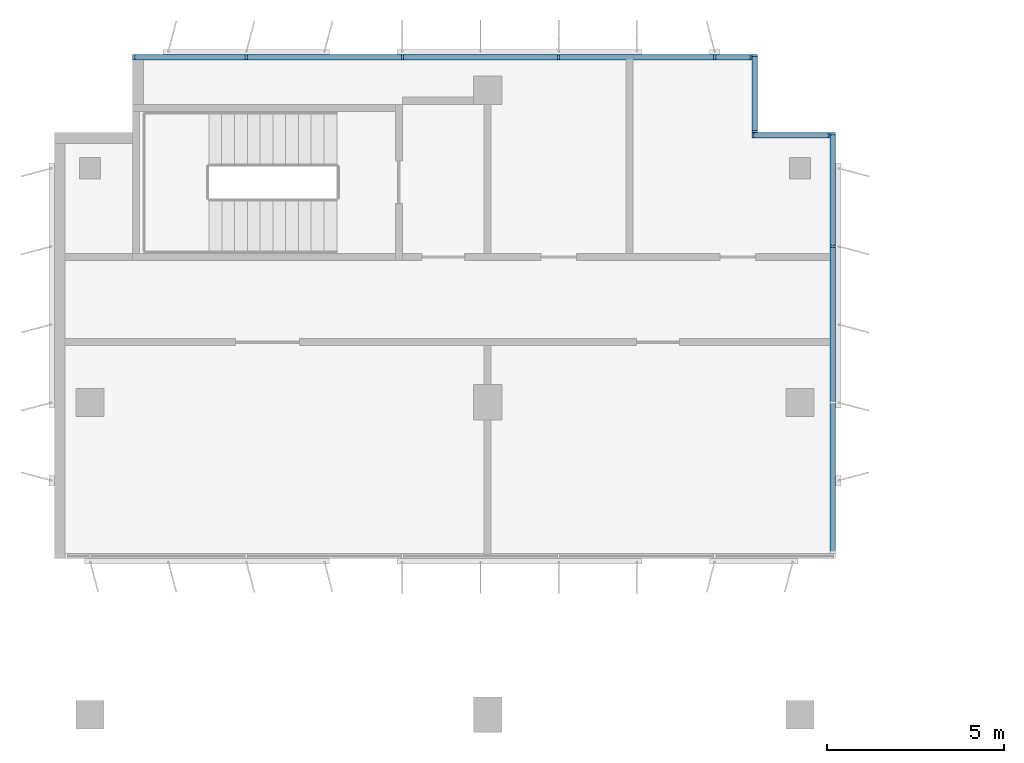
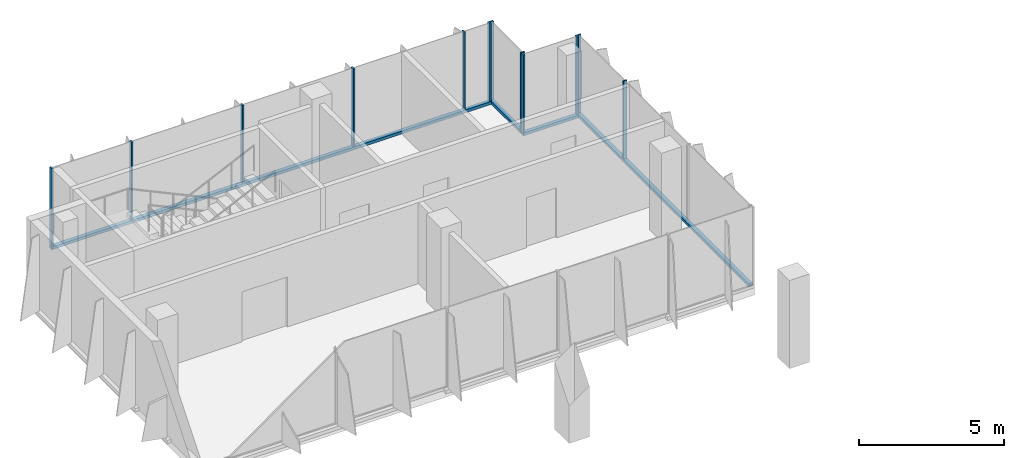
# One storey, part 5 of 14: 16 members, 4 elements without a shape of their own.
"""IFC4 building model written with IfcOpenShell, lengths in metres."""

from ifc_helpers import new_model, si_unit, direction, frame, origin, origin_2d, place, context, subcontext, project, spatial, rectangle, extrude, source, transform, mapped, material, material_profile, profile_set, type_object, element, aggregate, save


model = new_model("IFC4")

# Units and contexts
model_context = context("Model", 3, precision=1e-05, world=origin(), true_north=direction((0.0, 1.0)))
body_context = subcontext(model_context, "Body", "Model", "MODEL_VIEW")
ifc_project = project(units=[si_unit("LENGTHUNIT", "METRE"), si_unit("AREAUNIT", "SQUARE_METRE"), si_unit("VOLUMEUNIT", "CUBIC_METRE"), si_unit("PLANEANGLEUNIT", "RADIAN"), si_unit("MASSUNIT", "GRAM", prefix="KILO")], contexts=[model_context])

# Site, building, storey
site_placement = place(None, origin())
site = spatial("IfcSite", under=ifc_project, at=site_placement, CompositionType="ELEMENT")
building_placement = place(site_placement, origin())
building = spatial("IfcBuilding", under=site, at=building_placement, Name="Kemantara Hotel Tower", CompositionType="ELEMENT")
storey_placement = place(building_placement, frame((0.0, 0.0, 245.0)))
storey = spatial("IfcBuildingStorey", under=building, at=storey_placement, Name="L61", CompositionType="ELEMENT", Elevation=245.0)

# Curtain wall, member
ifc_material_1 = material(Name="Low-E tinted double insulated glass 36 mm", Category="glass")
curtain_wall_type = type_object("IfcCurtainWallType", Name="TOWER CURTAIN WALL, FRONT FACES", PredefinedType="USERDEFINED", material=ifc_material_1)
curtain_wall_1_placement = place(storey_placement, origin())
curtain_wall_1 = element("IfcCurtainWall", 1, at=curtain_wall_1_placement, inside=storey, type_object=curtain_wall_type, Name="CW4 L61 T4P-R13-1", ObjectType="TOWER CURTAIN WALL, FRONT FACES", PredefinedType="USERDEFINED")
ifc_material_2 = material(Name="Aluminium 6063-T6 bronze anodised", Category="aluminium")
ifc_material_profile_1 = material_profile(ifc_material_2, rectangle(XDim=0.14990234375, YDim=0.1201171875, at=origin_2d()), Name="TOWER CURTAIN WALL, FRONT FACES TRANSOM")
ifc_profile_set_1 = profile_set([ifc_material_profile_1], Name="Aluminium 6063-T6 bronze anodised")
member_type_1 = type_object("IfcMemberType", Name="TOWER CURTAIN WALL, FRONT FACES TRANSOM", PredefinedType="USERDEFINED", material=ifc_profile_set_1)
member_1_placement = place(storey_placement, frame((21.925048828125, 49.550048828125, 0.06005859375), z_axis=(0.0, 1.0, 0.0), x_axis=(-1.0, 0.0, 0.0)))
member_1 = element("IfcMember", 2, at=member_1_placement, type_object=member_type_1, Name="CW4 sill transom T4P-R13-1", ObjectType="TRANSOM", PredefinedType="USERDEFINED", context=body_context, shape_type="SweptSolid", body=[
    extrude(rectangle(XDim=0.14990234375, YDim=0.1201171875, at=origin_2d()), origin(), (0.0, 0.0, 1.0), 11.849853515625),
])

curtain_wall_2_placement = place(storey_placement, origin())
curtain_wall_2 = element("IfcCurtainWall", 3, at=curtain_wall_2_placement, inside=storey, type_object=curtain_wall_type, Name="CW4 L61 T4P-R16-1", ObjectType="TOWER CURTAIN WALL, FRONT FACES", PredefinedType="USERDEFINED")
member_2_placement = place(storey_placement, frame((19.64990234375, 63.52490234375, 0.06005859375), z_axis=(-1.0, 0.0, 0.0), x_axis=(0.0, -1.0, 0.0)))
member_2 = element("IfcMember", 4, at=member_2_placement, type_object=member_type_1, Name="CW4 sill transom T4P-R16-1", ObjectType="TRANSOM", PredefinedType="USERDEFINED", context=body_context, shape_type="SweptSolid", body=[
    extrude(rectangle(XDim=0.14990234375, YDim=0.1201171875, at=origin_2d()), origin(), (0.0, 0.0, 1.0), 17.449951171875),
])

curtain_wall_3_placement = place(storey_placement, origin())
curtain_wall_3 = element("IfcCurtainWall", 5, at=curtain_wall_3_placement, inside=storey, type_object=curtain_wall_type, Name="CW4 L61 T4P-R14-1", ObjectType="TOWER CURTAIN WALL, FRONT FACES", PredefinedType="USERDEFINED")
member_3_placement = place(storey_placement, frame((21.85009765625, 61.324951171875, 0.06005859375), z_axis=(-1.0, 0.0, 0.0), x_axis=(0.0, -1.0, 0.0)))
member_3 = element("IfcMember", 6, at=member_3_placement, type_object=member_type_1, Name="CW4 sill transom T4P-R14-1", ObjectType="TRANSOM", PredefinedType="USERDEFINED", context=body_context, shape_type="SweptSolid", body=[
    extrude(rectangle(XDim=0.14990234375, YDim=0.1201171875, at=origin_2d()), origin(), (0.0, 0.0, 1.0), 2.2001953125),
])

curtain_wall_4_placement = place(storey_placement, origin())
curtain_wall_4 = element("IfcCurtainWall", 7, at=curtain_wall_4_placement, inside=storey, type_object=curtain_wall_type, Name="CW4 L61 T4P-R15-1", ObjectType="TOWER CURTAIN WALL, FRONT FACES", PredefinedType="USERDEFINED")
member_4_placement = place(storey_placement, frame((19.72509765625, 61.39990234375, 0.06005859375), z_axis=(0.0, 1.0, 0.0), x_axis=(-1.0, 0.0, 0.0)))
member_4 = element("IfcMember", 8, at=member_4_placement, type_object=member_type_1, Name="CW4 sill transom T4P-R15-1", ObjectType="TRANSOM", PredefinedType="USERDEFINED", context=body_context, shape_type="SweptSolid", body=[
    extrude(rectangle(XDim=0.14990234375, YDim=0.1201171875, at=origin_2d()), origin(), (0.0, 0.0, 1.0), 2.2001953125),
])

# Member
ifc_material_profile_2 = material_profile(ifc_material_2, rectangle(XDim=0.14990234375, YDim=0.06005859375, at=origin_2d()), Name="TOWER CURTAIN WALL, FRONT FACES MULLION")
ifc_profile_set_2 = profile_set([ifc_material_profile_2], Name="Aluminium 6063-T6 bronze anodised")
member_type_2 = type_object("IfcMemberType", Name="TOWER CURTAIN WALL, FRONT FACES MULLION", PredefinedType="MULLION", material=ifc_profile_set_2)
shared_shape = source(origin(), body_context, "Body", "SweptSolid", [
    extrude(rectangle(XDim=0.14990234375, YDim=0.06005859375, at=origin_2d()), origin(), (0.0, 0.0, 1.0), 3.27978515625),
])
member_5_placement = place(storey_placement, frame((21.925048828125, 58.199951171875, 0.1201171875), z_axis=(0.0, 0.0, 1.0), x_axis=(-1.0, 0.0, 0.0)))
member_5 = element("IfcMember", 9, at=member_5_placement, type_object=member_type_2, Name="CW4 mullion T4P-R13-1.3", PredefinedType="MULLION", context=body_context, shape_type="MappedRepresentation", body=[
    mapped(shared_shape, transform((0.0, 0.0, 0.0))),
])

member_6_placement = place(storey_placement, frame((21.925048828125, 61.3701171875, 0.1201171875), z_axis=(0.0, 0.0, 1.0), x_axis=(-1.0, 0.0, 0.0)))
member_6 = element("IfcMember", 10, at=member_6_placement, type_object=member_type_2, Name="CW4 mullion T4P-R13-1.4", PredefinedType="MULLION", context=body_context, shape_type="MappedRepresentation", body=[
    mapped(shared_shape, transform((0.0, 0.0, 0.0))),
])

aggregate(curtain_wall_1, [member_1, member_5, member_6])

member_7_placement = place(storey_placement, frame((19.6201171875, 63.52490234375, 0.1201171875), z_axis=(0.0, 0.0, 1.0), x_axis=(0.0, -1.0, 0.0)))
member_7 = element("IfcMember", 11, at=member_7_placement, type_object=member_type_2, Name="CW4 mullion T4P-R16-1.1", PredefinedType="MULLION", context=body_context, shape_type="MappedRepresentation", body=[
    mapped(shared_shape, transform((0.0, 0.0, 0.0))),
])

member_8_placement = place(storey_placement, frame((18.60009765625, 63.52490234375, 0.1201171875), z_axis=(0.0, 0.0, 1.0), x_axis=(0.0, -1.0, 0.0)))
member_8 = element("IfcMember", 12, at=member_8_placement, type_object=member_type_2, Name="CW4 mullion T4P-R16-1.2", PredefinedType="MULLION", context=body_context, shape_type="MappedRepresentation", body=[
    mapped(shared_shape, transform((0.0, 0.0, 0.0))),
])

member_9_placement = place(storey_placement, frame((14.199951171875, 63.52490234375, 0.1201171875), z_axis=(0.0, 0.0, 1.0), x_axis=(0.0, -1.0, 0.0)))
member_9 = element("IfcMember", 13, at=member_9_placement, type_object=member_type_2, Name="CW4 mullion T4P-R16-1.3", PredefinedType="MULLION", context=body_context, shape_type="MappedRepresentation", body=[
    mapped(shared_shape, transform((0.0, 0.0, 0.0))),
])

member_10_placement = place(storey_placement, frame((9.800048828125, 63.52490234375, 0.1201171875), z_axis=(0.0, 0.0, 1.0), x_axis=(0.0, -1.0, 0.0)))
member_10 = element("IfcMember", 14, at=member_10_placement, type_object=member_type_2, Name="CW4 mullion T4P-R16-1.4", PredefinedType="MULLION", context=body_context, shape_type="MappedRepresentation", body=[
    mapped(shared_shape, transform((0.0, 0.0, 0.0))),
])

member_11_placement = place(storey_placement, frame((5.39990234375, 63.52490234375, 0.1201171875), z_axis=(0.0, 0.0, 1.0), x_axis=(0.0, -1.0, 0.0)))
member_11 = element("IfcMember", 15, at=member_11_placement, type_object=member_type_2, Name="CW4 mullion T4P-R16-1.5", PredefinedType="MULLION", context=body_context, shape_type="MappedRepresentation", body=[
    mapped(shared_shape, transform((0.0, 0.0, 0.0))),
])

member_12_placement = place(storey_placement, frame((2.22998046875, 63.52490234375, 0.1201171875), z_axis=(0.0, 0.0, 1.0), x_axis=(0.0, -1.0, 0.0)))
member_12 = element("IfcMember", 16, at=member_12_placement, type_object=member_type_2, Name="CW4 mullion T4P-R16-1.6", PredefinedType="MULLION", context=body_context, shape_type="MappedRepresentation", body=[
    mapped(shared_shape, transform((0.0, 0.0, 0.0))),
])

aggregate(curtain_wall_2, [member_2, member_7, member_8, member_9, member_10, member_11, member_12])

member_13_placement = place(storey_placement, frame((21.820068359375, 61.324951171875, 0.1201171875), z_axis=(0.0, 0.0, 1.0), x_axis=(0.0, -1.0, 0.0)))
member_13 = element("IfcMember", 17, at=member_13_placement, type_object=member_type_2, Name="CW4 mullion T4P-R14-1.1", PredefinedType="MULLION", context=body_context, shape_type="MappedRepresentation", body=[
    mapped(shared_shape, transform((0.0, 0.0, 0.0))),
])

member_14_placement = place(storey_placement, frame((19.679931640625, 61.324951171875, 0.1201171875), z_axis=(0.0, 0.0, 1.0), x_axis=(0.0, -1.0, 0.0)))
member_14 = element("IfcMember", 18, at=member_14_placement, type_object=member_type_2, Name="CW4 mullion T4P-R14-1.2", PredefinedType="MULLION", context=body_context, shape_type="MappedRepresentation", body=[
    mapped(shared_shape, transform((0.0, 0.0, 0.0))),
])

aggregate(curtain_wall_3, [member_3, member_13, member_14])

member_15_placement = place(storey_placement, frame((19.72509765625, 61.429931640625, 0.1201171875), z_axis=(0.0, 0.0, 1.0), x_axis=(-1.0, 0.0, 0.0)))
member_15 = element("IfcMember", 19, at=member_15_placement, type_object=member_type_2, Name="CW4 mullion T4P-R15-1.1", PredefinedType="MULLION", context=body_context, shape_type="MappedRepresentation", body=[
    mapped(shared_shape, transform((0.0, 0.0, 0.0))),
])

member_16_placement = place(storey_placement, frame((19.72509765625, 63.570068359375, 0.1201171875), z_axis=(0.0, 0.0, 1.0), x_axis=(-1.0, 0.0, 0.0)))
member_16 = element("IfcMember", 20, at=member_16_placement, type_object=member_type_2, Name="CW4 mullion T4P-R15-1.2", PredefinedType="MULLION", context=body_context, shape_type="MappedRepresentation", body=[
    mapped(shared_shape, transform((0.0, 0.0, 0.0))),
])

aggregate(curtain_wall_4, [member_4, member_15, member_16])

save(model, "model.ifc")
